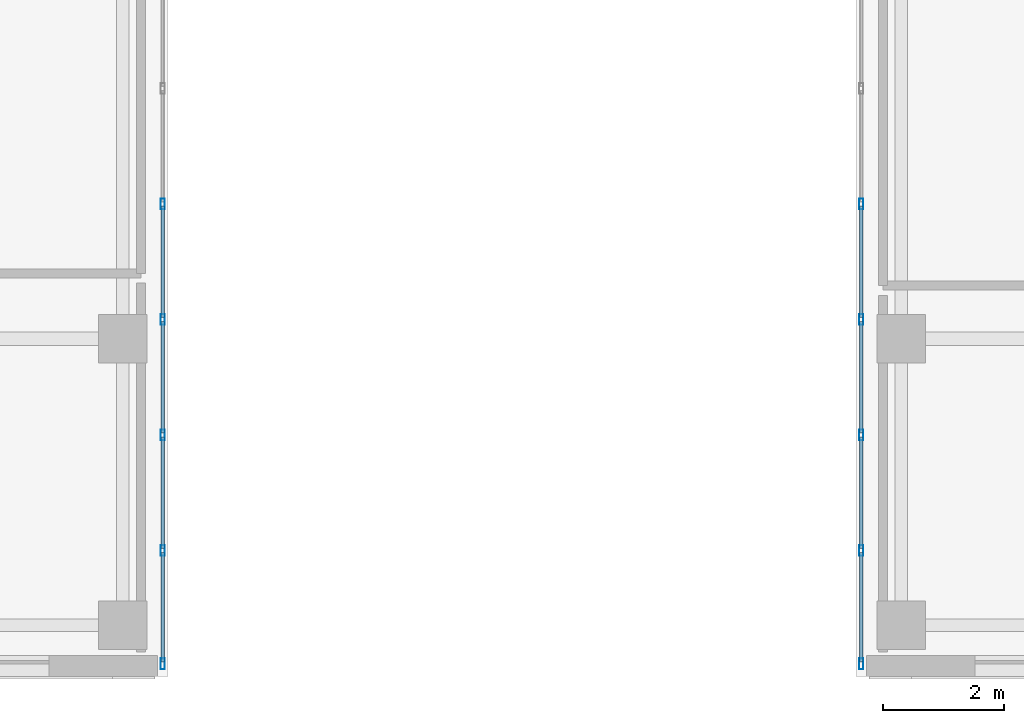
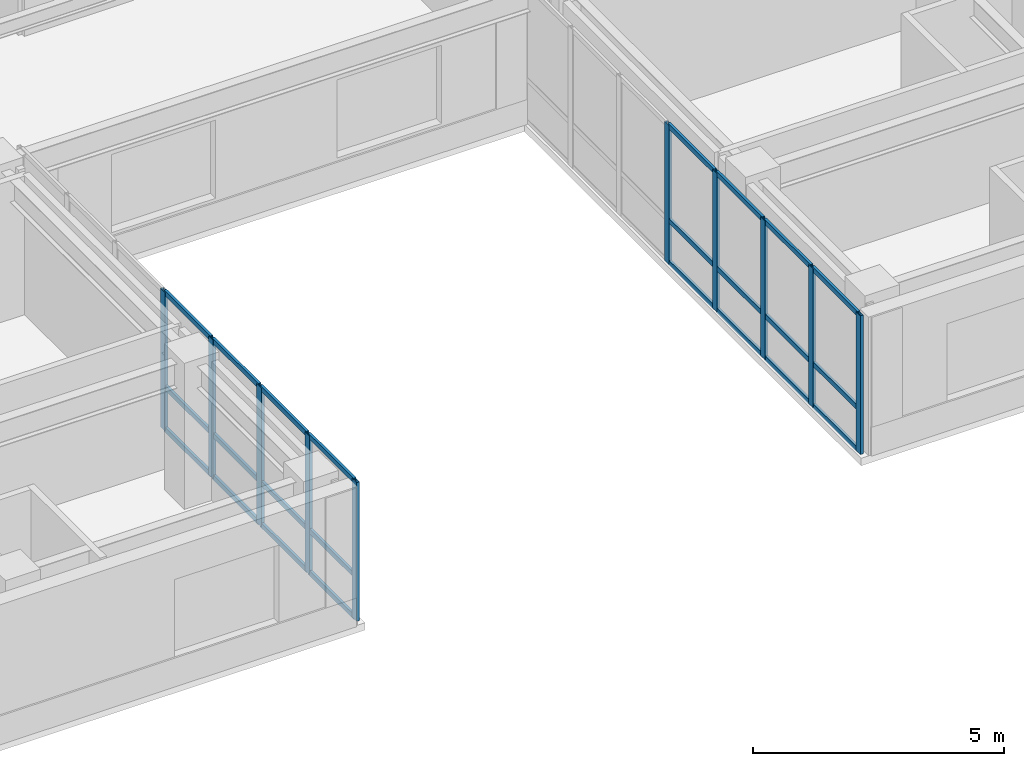
# One storey, part 7 of 28: 34 members, 2 elements without a shape of their own.
"""IFC4 building model written with IfcOpenShell, lengths in metres."""

import ifcopenshell
import ifcopenshell.guid

model = None  # the IFC model being written
_history = None  # IfcOwnerHistory: only IFC2X3 demands one
_inside = {}  # id of a spatial element -> (the spatial element, [elements in it])
_under = {}  # id of a project, library or spatial element -> (it, [spatial elements below it])
_declared = {}  # id of a project -> (the project, [libraries it declares])
_typed = {}  # id of a type object -> (the type object, [elements of that type])
_made_of = {}  # id of a material, layer set ... -> (it, [elements and type objects made of it])


def new_model(schema):
    """Start an empty IFC model of exactly this schema.

    Asked for "IFC4X3", IfcOpenShell would pick the latest addendum, in which some entities
    have other attributes; the version numbers below select the first issue.
    IFC2X3 requires an IfcOwnerHistory on every rooted entity: one is made here for all.
    """
    global model, _history
    if schema == "IFC4X3":
        model = ifcopenshell.file(schema_version=(4, 3, 0, 0))
    else:
        model = ifcopenshell.file(schema=schema)
    _inside.clear()
    _under.clear()
    _declared.clear()
    _typed.clear()
    _made_of.clear()
    _history = None
    if model.schema == "IFC2X3":
        org = make("IfcOrganization", Name="unknown")
        user = make(
            "IfcPersonAndOrganization",
            ThePerson=make("IfcPerson", FamilyName="unknown"),
            TheOrganization=org,
        )
        app = make(
            "IfcApplication",
            ApplicationDeveloper=org,
            Version="unknown",
            ApplicationFullName="unknown",
            ApplicationIdentifier="unknown",
        )
        _history = make(
            "IfcOwnerHistory",
            OwningUser=user,
            OwningApplication=app,
            ChangeAction="ADDED",
            CreationDate=0,
        )
    return model


def make(cls, **values):
    """One entity of the class cls with the attributes given. An attribute that is None is left unset."""
    return model.create_entity(
        cls, **{name: value for name, value in values.items() if value is not None}
    )


def rooted(cls, **values):
    """An entity with a GlobalId (a new one), such as an element, a storey or a relation."""
    return make(cls, GlobalId=ifcopenshell.guid.new(), OwnerHistory=_history, **values)


def si_unit(unit_type, name, prefix=None):
    """IfcSIUnit, for example si_unit("LENGTHUNIT", "METRE", prefix="MILLI")."""
    return make("IfcSIUnit", UnitType=unit_type, Prefix=prefix, Name=name)


def assignment(units):
    """IfcUnitAssignment: the units of a project."""
    return None if units is None else make("IfcUnitAssignment", Units=units)


def point(xyz):
    """IfcCartesianPoint."""
    return None if xyz is None else make("IfcCartesianPoint", Coordinates=xyz)


def direction(xyz):
    """IfcDirection."""
    return None if xyz is None else make("IfcDirection", DirectionRatios=xyz)


def frame(location, z_axis=None, x_axis=None):
    """IfcAxis2Placement3D, a coordinate frame: its origin and axes. An axis left out is left unset."""
    return make(
        "IfcAxis2Placement3D",
        Location=point(location),
        Axis=direction(z_axis),
        RefDirection=direction(x_axis),
    )


def frame_2d(location, x_axis=None):
    """IfcAxis2Placement2D, a coordinate frame in the plane: its origin and x axis."""
    return make(
        "IfcAxis2Placement2D", Location=point(location), RefDirection=direction(x_axis)
    )


def origin():
    """The frame at (0, 0, 0) with its axes left unset."""
    return frame((0.0, 0.0, 0.0))


def origin_2d():
    """The frame at (0, 0) in the plane with its x axis left unset."""
    return frame_2d((0.0, 0.0))


def place(relative_to, where):
    """IfcLocalPlacement: puts the frame where relative to a parent placement (None: the world)."""
    return make(
        "IfcLocalPlacement", PlacementRelTo=relative_to, RelativePlacement=where
    )


def context(
    kind, dimensions, precision=None, world=None, true_north=None, identifier=None
):
    """IfcGeometricRepresentationContext, for example the 3D "Model" context."""
    return make(
        "IfcGeometricRepresentationContext",
        ContextIdentifier=identifier,
        ContextType=kind,
        CoordinateSpaceDimension=dimensions,
        Precision=precision,
        WorldCoordinateSystem=world,
        TrueNorth=true_north,
    )


def subcontext(parent, identifier, kind, view, scale=None):
    """IfcGeometricRepresentationSubContext, for example "Body" below "Model"."""
    return make(
        "IfcGeometricRepresentationSubContext",
        ContextIdentifier=identifier,
        ContextType=kind,
        ParentContext=parent,
        TargetScale=scale,
        TargetView=view,
    )


def project(units=None, contexts=None):
    """IfcProject with its units and contexts."""
    return rooted(
        "IfcProject",
        Name="project",
        RepresentationContexts=contexts,
        UnitsInContext=assignment(units),
    )


def spatial(cls, under=None, at=None, **own):
    """A site, building, storey or space (cls), placed at a placement, below another one or the project."""
    s = rooted(cls, ObjectPlacement=at, **own)
    if under is not None:
        _under.setdefault(under.id(), (under, []))[1].append(s)
    return s


def profile(cls, at=None, kind="AREA", **sizes):
    """A parametric profile (cls). Its sizes go by their IFC names, for example OverallWidth=200.0."""
    return make(cls, ProfileType=kind, Position=at, **sizes)


def hollow_rectangle(**sizes):
    """IfcRectangleHollowProfileDef."""
    return profile("IfcRectangleHollowProfileDef", **sizes)


def extrude(swept, where, along, depth):
    """IfcExtrudedAreaSolid: the profile swept, set in the frame where, extruded along a direction by depth."""
    return make(
        "IfcExtrudedAreaSolid",
        SweptArea=swept,
        Position=where,
        ExtrudedDirection=direction(along),
        Depth=depth,
    )


def shape(context_of_items, identifier, shape_type, items):
    """IfcShapeRepresentation: the items that make up one representation, for example the "Body"."""
    return make(
        "IfcShapeRepresentation",
        ContextOfItems=context_of_items,
        RepresentationIdentifier=identifier,
        RepresentationType=shape_type,
        Items=items,
    )


def source(mapping_origin, context_of_items, identifier, shape_type, items):
    """IfcRepresentationMap: a shape defined once, which mapped items show again and again."""
    return make(
        "IfcRepresentationMap",
        MappingOrigin=mapping_origin,
        MappedRepresentation=shape(context_of_items, identifier, shape_type, items),
    )


def transform(
    local_origin,
    x_axis=None,
    y_axis=None,
    z_axis=None,
    scale=None,
    scale2=None,
    scale3=None,
    uniform=True,
):
    """IfcCartesianTransformationOperator3D, or its non-uniform kind. x_axis, y_axis, z_axis: its Axis1, 2, 3."""
    if uniform:
        return make(
            "IfcCartesianTransformationOperator3D",
            Axis1=direction(x_axis),
            Axis2=direction(y_axis),
            LocalOrigin=point(local_origin),
            Scale=scale,
            Axis3=direction(z_axis),
        )
    return make(
        "IfcCartesianTransformationOperator3DnonUniform",
        Axis1=direction(x_axis),
        Axis2=direction(y_axis),
        LocalOrigin=point(local_origin),
        Scale=scale,
        Axis3=direction(z_axis),
        Scale2=scale2,
        Scale3=scale3,
    )


def mapped(mapping_source, mapping_target):
    """IfcMappedItem: shows the shape of a source again, moved by a transform."""
    return make(
        "IfcMappedItem", MappingSource=mapping_source, MappingTarget=mapping_target
    )


def material(Name=None, Category=None):
    """IfcMaterial."""
    return make("IfcMaterial", Name=Name, Category=Category)


def layer(
    of_material, thickness, ventilated=None, Name=None, Category=None, Priority=None
):
    """IfcMaterialLayer: one layer of a wall or slab, of a material (None: an air gap)."""
    return make(
        "IfcMaterialLayer",
        Material=of_material,
        LayerThickness=thickness,
        IsVentilated=ventilated,
        Name=Name,
        Category=Category,
        Priority=Priority,
    )


def layer_set(layers, Name=None):
    """IfcMaterialLayerSet."""
    return make("IfcMaterialLayerSet", MaterialLayers=layers, LayerSetName=Name)


def material_profile(
    of_material, cross_section, Name=None, Category=None, Priority=None
):
    """IfcMaterialProfile: a cross section and its material."""
    return make(
        "IfcMaterialProfile",
        Name=Name,
        Material=of_material,
        Profile=cross_section,
        Priority=Priority,
        Category=Category,
    )


def profile_set(profiles, Name=None, composite=None):
    """IfcMaterialProfileSet."""
    return make(
        "IfcMaterialProfileSet",
        Name=Name,
        MaterialProfiles=profiles,
        CompositeProfile=composite,
    )


def made_of(thing, what):
    """Note that an element or type object is made of a material, layer set ...; save() writes the relation."""
    if what is not None:
        _made_of.setdefault(what.id(), (what, []))[1].append(thing)
    return thing


def type_object(cls, material=None, **own):
    """A type object (cls), such as IfcWallType, which elements share."""
    return made_of(rooted(cls, **own), material)


def type_shapes(of_type, sources):
    """Give a type object the sources (RepresentationMaps) that its elements show as mapped items."""
    of_type.RepresentationMaps = sources


def element(
    cls,
    number,
    at=None,
    inside=None,
    cuts=None,
    type_object=None,
    material=None,
    context=None,
    identifier="Body",
    shape_type=None,
    held_by="IfcProductDefinitionShape",
    body=None,
    shapes=None,
    **own,
):
    """One element of the class cls, such as IfcWall. Its Tag is "e" and its number.

    at: its placement. inside: the storey or other place that contains it. cuts: it is an
    opening in that element (IfcRelVoidsElement). A single representation is given by context,
    identifier, shape_type and body (its items); several are given by shapes. held_by: the class
    of the entity that holds the representations. save() writes the other relations.
    """
    e = rooted(cls, Tag="e%d" % number, ObjectPlacement=at, **own)
    if body is not None:
        shapes = [shape(context, identifier, shape_type, body)]
    if shapes is not None:
        e.Representation = make(held_by, Representations=shapes)
    if inside is not None:
        _inside.setdefault(inside.id(), (inside, []))[1].append(e)
    if cuts is not None:
        rooted(
            "IfcRelVoidsElement", RelatingBuildingElement=cuts, RelatedOpeningElement=e
        )
    if type_object is not None:
        _typed.setdefault(type_object.id(), (type_object, []))[1].append(e)
    return made_of(e, material)


def aggregate(whole, parts):
    """IfcRelAggregates: a whole, such as a stair, and the parts it consists of."""
    return rooted("IfcRelAggregates", RelatingObject=whole, RelatedObjects=parts)


def save(model, path):
    """Write the relations noted so far, then the file.

    IfcRelAggregates (storeys below a building ...), IfcRelContainedInSpatialStructure (elements
    in a storey), IfcRelDefinesByType, IfcRelAssociatesMaterial and IfcRelDeclares: one each for
    every whole, place, type object, material and project.
    """
    for whole, parts in _under.values():
        aggregate(whole, parts)
    for where, things in _inside.values():
        rooted(
            "IfcRelContainedInSpatialStructure",
            RelatedElements=things,
            RelatingStructure=where,
        )
    for kind, things in _typed.values():
        rooted("IfcRelDefinesByType", RelatedObjects=things, RelatingType=kind)
    for what, things in _made_of.values():
        rooted("IfcRelAssociatesMaterial", RelatedObjects=things, RelatingMaterial=what)
    for by, libraries in _declared.values():
        rooted("IfcRelDeclares", RelatingContext=by, RelatedDefinitions=libraries)
    model.write(path)


model = new_model("IFC4")

# Units and contexts
model_context = context("Model", 3, precision=1e-05, world=origin(), true_north=direction((0.0, 1.0)))
body_context = subcontext(model_context, "Body", "Model", "MODEL_VIEW")
ifc_project = project(units=[si_unit("LENGTHUNIT", "METRE"), si_unit("AREAUNIT", "SQUARE_METRE"), si_unit("VOLUMEUNIT", "CUBIC_METRE"), si_unit("PLANEANGLEUNIT", "RADIAN"), si_unit("MASSUNIT", "GRAM", prefix="KILO")], contexts=[model_context])

# Site, building, storey
site_placement = place(None, origin())
site = spatial("IfcSite", under=ifc_project, at=site_placement, CompositionType="ELEMENT")
building_placement = place(site_placement, origin())
building = spatial("IfcBuilding", under=site, at=building_placement, Name="Tolvann Quenvar Hotel", CompositionType="ELEMENT")
storey_placement = place(building_placement, frame((0.0, 0.0, 198.199951171875)))
storey = spatial("IfcBuildingStorey", under=building, at=storey_placement, Name="L52", CompositionType="ELEMENT", Elevation=198.199951171875)

# Curtain wall, members
ifc_material_1 = material(Name="Thermally broken anodised architectural aluminium 6063-T6 and laminated low-E glass", Category="aluminium")
ifc_layer = layer(ifc_material_1, 0.179931640625)
ifc_layer_set = layer_set([ifc_layer], Name="Thermally broken anodised architectural aluminium 6063-T6 and laminated low-E glass")
curtain_wall_type = type_object("IfcCurtainWallType", Name="CW_SYS_SLOT_03", PredefinedType="USERDEFINED", material=ifc_layer_set)
curtain_wall_1_placement = place(storey_placement, origin())
curtain_wall_1 = element("IfcCurtainWall", 1, at=curtain_wall_1_placement, inside=storey, type_object=curtain_wall_type, Name="Curtain Wall CW-SLOT-03 (CWR-L52-E05)", ObjectType="UNITISED CURTAIN WALL", PredefinedType="USERDEFINED")
ifc_material_2 = material(Name="Anodised architectural aluminium 6063-T6 framing", Category="aluminium")
ifc_material_profile_1 = material_profile(ifc_material_2, hollow_rectangle(XDim=0.070068359375, YDim=0.179931640625, WallThickness=0.00390625, at=origin_2d()), Name="180x70x4RHS")
ifc_profile_set_1 = profile_set([ifc_material_profile_1], Name="Anodised architectural aluminium 6063-T6 framing")
member_type_1 = type_object("IfcMemberType", Name="CW_MULL_180x70", PredefinedType="MULLION", material=ifc_profile_set_1)
shared_shape_1 = source(origin(), body_context, "Body", "SweptSolid", [
    extrude(hollow_rectangle(XDim=0.070068359375, YDim=0.179931640625, WallThickness=0.00390625, at=origin_2d()), origin(), (0.0, 0.0, 1.0), 3.3701171875),
])
type_shapes(member_type_1, [shared_shape_1])
member_1_placement = place(storey_placement, frame((22.7099609375, 2.81005859375, 0.0), z_axis=(0.0, 0.0, 1.0), x_axis=(-1.0, 0.0, 0.0)))
member_1 = element("IfcMember", 2, at=member_1_placement, type_object=member_type_1, Name="CW-SLOT-03 mullion 1", PredefinedType="MULLION", context=body_context, shape_type="MappedRepresentation", body=[
    mapped(shared_shape_1, transform((0.0, 0.0, 0.0), x_axis=(1.0, 0.0, 0.0), y_axis=(0.0, 1.0, 0.0), z_axis=(0.0, 0.0, 1.0), scale=1.0)),
])
member_2_placement = place(storey_placement, frame((22.7099609375, 4.689208984375, 0.0), z_axis=(0.0, 0.0, 1.0), x_axis=(-1.0, 0.0, 0.0)))
member_2 = element("IfcMember", 3, at=member_2_placement, type_object=member_type_1, Name="CW-SLOT-03 mullion 2", PredefinedType="MULLION", context=body_context, shape_type="MappedRepresentation", body=[
    mapped(shared_shape_1, transform((0.0, 0.0, 0.0), x_axis=(1.0, 0.0, 0.0), y_axis=(0.0, 1.0, 0.0), z_axis=(0.0, 0.0, 1.0), scale=1.0)),
])
member_3_placement = place(storey_placement, frame((22.7099609375, 6.603515625, 0.0), z_axis=(0.0, 0.0, 1.0), x_axis=(-1.0, 0.0, 0.0)))
member_3 = element("IfcMember", 4, at=member_3_placement, type_object=member_type_1, Name="CW-SLOT-03 mullion 3", PredefinedType="MULLION", context=body_context, shape_type="MappedRepresentation", body=[
    mapped(shared_shape_1, transform((0.0, 0.0, 0.0), x_axis=(1.0, 0.0, 0.0), y_axis=(0.0, 1.0, 0.0), z_axis=(0.0, 0.0, 1.0), scale=1.0)),
])
member_4_placement = place(storey_placement, frame((22.7099609375, 8.517822265625, 0.0), z_axis=(0.0, 0.0, 1.0), x_axis=(-1.0, 0.0, 0.0)))
member_4 = element("IfcMember", 5, at=member_4_placement, type_object=member_type_1, Name="CW-SLOT-03 mullion 4", PredefinedType="MULLION", context=body_context, shape_type="MappedRepresentation", body=[
    mapped(shared_shape_1, transform((0.0, 0.0, 0.0), x_axis=(1.0, 0.0, 0.0), y_axis=(0.0, 1.0, 0.0), z_axis=(0.0, 0.0, 1.0), scale=1.0)),
])
member_5_placement = place(storey_placement, frame((22.7099609375, 10.43212890625, 0.0), z_axis=(0.0, 0.0, 1.0), x_axis=(-1.0, 0.0, 0.0)))
member_5 = element("IfcMember", 6, at=member_5_placement, type_object=member_type_1, Name="CW-SLOT-03 mullion 5", PredefinedType="MULLION", context=body_context, shape_type="MappedRepresentation", body=[
    mapped(shared_shape_1, transform((0.0, 0.0, 0.0), x_axis=(1.0, 0.0, 0.0), y_axis=(0.0, 1.0, 0.0), z_axis=(0.0, 0.0, 1.0), scale=1.0)),
])

curtain_wall_2_placement = place(storey_placement, origin())
curtain_wall_2 = element("IfcCurtainWall", 7, at=curtain_wall_2_placement, inside=storey, type_object=curtain_wall_type, Name="Curtain Wall CW-SLOT-03 (CWR-L52-E07)", ObjectType="UNITISED CURTAIN WALL", PredefinedType="USERDEFINED")
member_6_placement = place(storey_placement, frame((34.2900390625, 10.43212890625, 0.0), z_axis=(0.0, 0.0, 1.0), x_axis=(1.0, 0.0, 0.0)))
member_6 = element("IfcMember", 8, at=member_6_placement, type_object=member_type_1, Name="CW-SLOT-03 mullion 4", PredefinedType="MULLION", context=body_context, shape_type="MappedRepresentation", body=[
    mapped(shared_shape_1, transform((0.0, 0.0, 0.0), x_axis=(1.0, 0.0, 0.0), y_axis=(0.0, 1.0, 0.0), z_axis=(0.0, 0.0, 1.0), scale=1.0)),
])
member_7_placement = place(storey_placement, frame((34.2900390625, 8.517822265625, 0.0), z_axis=(0.0, 0.0, 1.0), x_axis=(1.0, 0.0, 0.0)))
member_7 = element("IfcMember", 9, at=member_7_placement, type_object=member_type_1, Name="CW-SLOT-03 mullion 5", PredefinedType="MULLION", context=body_context, shape_type="MappedRepresentation", body=[
    mapped(shared_shape_1, transform((0.0, 0.0, 0.0), x_axis=(1.0, 0.0, 0.0), y_axis=(0.0, 1.0, 0.0), z_axis=(0.0, 0.0, 1.0), scale=1.0)),
])
member_8_placement = place(storey_placement, frame((34.2900390625, 6.603515625, 0.0), z_axis=(0.0, 0.0, 1.0), x_axis=(1.0, 0.0, 0.0)))
member_8 = element("IfcMember", 10, at=member_8_placement, type_object=member_type_1, Name="CW-SLOT-03 mullion 6", PredefinedType="MULLION", context=body_context, shape_type="MappedRepresentation", body=[
    mapped(shared_shape_1, transform((0.0, 0.0, 0.0), x_axis=(1.0, 0.0, 0.0), y_axis=(0.0, 1.0, 0.0), z_axis=(0.0, 0.0, 1.0), scale=1.0)),
])
member_9_placement = place(storey_placement, frame((34.2900390625, 4.689208984375, 0.0), z_axis=(0.0, 0.0, 1.0), x_axis=(1.0, 0.0, 0.0)))
member_9 = element("IfcMember", 11, at=member_9_placement, type_object=member_type_1, Name="CW-SLOT-03 mullion 7", PredefinedType="MULLION", context=body_context, shape_type="MappedRepresentation", body=[
    mapped(shared_shape_1, transform((0.0, 0.0, 0.0), x_axis=(1.0, 0.0, 0.0), y_axis=(0.0, 1.0, 0.0), z_axis=(0.0, 0.0, 1.0), scale=1.0)),
])
member_10_placement = place(storey_placement, frame((34.2900390625, 2.81005859375, 0.0), z_axis=(0.0, 0.0, 1.0), x_axis=(1.0, 0.0, 0.0)))
member_10 = element("IfcMember", 12, at=member_10_placement, type_object=member_type_1, Name="CW-SLOT-03 mullion 8", PredefinedType="MULLION", context=body_context, shape_type="MappedRepresentation", body=[
    mapped(shared_shape_1, transform((0.0, 0.0, 0.0), x_axis=(1.0, 0.0, 0.0), y_axis=(0.0, 1.0, 0.0), z_axis=(0.0, 0.0, 1.0), scale=1.0)),
])

# Member
ifc_material_profile_2 = material_profile(ifc_material_2, hollow_rectangle(XDim=0.06005859375, YDim=0.1201171875, WallThickness=0.00341796875, at=origin_2d()), Name="120x60x3.5RHS")
ifc_profile_set_2 = profile_set([ifc_material_profile_2], Name="Anodised architectural aluminium 6063-T6 framing")
member_type_2 = type_object("IfcMemberType", Name="CW_TRAN_120x60", PredefinedType="USERDEFINED", material=ifc_profile_set_2)
shared_shape_2 = source(origin(), body_context, "Body", "SweptSolid", [
    extrude(hollow_rectangle(XDim=0.06005859375, YDim=0.1201171875, WallThickness=0.00341796875, at=origin_2d()), origin(), (0.0, 0.0, 1.0), 1.809326171875),
])
member_11_placement = place(storey_placement, frame((22.7099609375, 2.844970703125, 0.030029296875), z_axis=(0.0, 1.0, 0.0), x_axis=(-1.0, 0.0, 0.0)))
member_11 = element("IfcMember", 13, at=member_11_placement, type_object=member_type_2, Name="CW-SLOT-03 transom 1.1", ObjectType="TRANSOM", PredefinedType="USERDEFINED", context=body_context, shape_type="MappedRepresentation", body=[
    mapped(shared_shape_2, transform((0.0, 0.0, 0.0), x_axis=(1.0, 0.0, 0.0), y_axis=(0.0, 1.0, 0.0), z_axis=(0.0, 0.0, 1.0), scale=1.0)),
])

member_12_placement = place(storey_placement, frame((22.7099609375, 2.844970703125, 1.050048828125), z_axis=(0.0, 1.0, 0.0), x_axis=(-1.0, 0.0, 0.0)))
member_12 = element("IfcMember", 14, at=member_12_placement, type_object=member_type_2, Name="CW-SLOT-03 transom 1.2", ObjectType="TRANSOM", PredefinedType="USERDEFINED", context=body_context, shape_type="MappedRepresentation", body=[
    mapped(shared_shape_2, transform((0.0, 0.0, 0.0), x_axis=(1.0, 0.0, 0.0), y_axis=(0.0, 1.0, 0.0), z_axis=(0.0, 0.0, 1.0), scale=1.0)),
])

member_13_placement = place(storey_placement, frame((22.7099609375, 2.844970703125, 3.340087890625), z_axis=(0.0, 1.0, 0.0), x_axis=(-1.0, 0.0, 0.0)))
member_13 = element("IfcMember", 15, at=member_13_placement, type_object=member_type_2, Name="CW-SLOT-03 transom 1.3", ObjectType="TRANSOM", PredefinedType="USERDEFINED", context=body_context, shape_type="MappedRepresentation", body=[
    mapped(shared_shape_2, transform((0.0, 0.0, 0.0), x_axis=(1.0, 0.0, 0.0), y_axis=(0.0, 1.0, 0.0), z_axis=(0.0, 0.0, 1.0), scale=1.0)),
])

member_14_placement = place(storey_placement, frame((34.2900390625, 4.654296875, 0.030029296875), z_axis=(0.0, -1.0, 0.0), x_axis=(1.0, 0.0, 0.0)))
member_14 = element("IfcMember", 16, at=member_14_placement, type_object=member_type_2, Name="CW-SLOT-03 transom 7.1", ObjectType="TRANSOM", PredefinedType="USERDEFINED", context=body_context, shape_type="MappedRepresentation", body=[
    mapped(shared_shape_2, transform((0.0, 0.0, 0.0), x_axis=(1.0, 0.0, 0.0), y_axis=(0.0, 1.0, 0.0), z_axis=(0.0, 0.0, 1.0), scale=1.0)),
])

member_15_placement = place(storey_placement, frame((34.2900390625, 4.654296875, 1.050048828125), z_axis=(0.0, -1.0, 0.0), x_axis=(1.0, 0.0, 0.0)))
member_15 = element("IfcMember", 17, at=member_15_placement, type_object=member_type_2, Name="CW-SLOT-03 transom 7.2", ObjectType="TRANSOM", PredefinedType="USERDEFINED", context=body_context, shape_type="MappedRepresentation", body=[
    mapped(shared_shape_2, transform((0.0, 0.0, 0.0), x_axis=(1.0, 0.0, 0.0), y_axis=(0.0, 1.0, 0.0), z_axis=(0.0, 0.0, 1.0), scale=1.0)),
])

member_16_placement = place(storey_placement, frame((34.2900390625, 4.654296875, 3.340087890625), z_axis=(0.0, -1.0, 0.0), x_axis=(1.0, 0.0, 0.0)))
member_16 = element("IfcMember", 18, at=member_16_placement, type_object=member_type_2, Name="CW-SLOT-03 transom 7.3", ObjectType="TRANSOM", PredefinedType="USERDEFINED", context=body_context, shape_type="MappedRepresentation", body=[
    mapped(shared_shape_2, transform((0.0, 0.0, 0.0), x_axis=(1.0, 0.0, 0.0), y_axis=(0.0, 1.0, 0.0), z_axis=(0.0, 0.0, 1.0), scale=1.0)),
])

shared_shape_3 = source(origin(), body_context, "Body", "SweptSolid", [
    extrude(hollow_rectangle(XDim=0.06005859375, YDim=0.1201171875, WallThickness=0.00341796875, at=origin_2d()), origin(), (0.0, 0.0, 1.0), 1.84423828125),
])
type_shapes(member_type_2, [shared_shape_2, shared_shape_3])
member_17_placement = place(storey_placement, frame((22.7099609375, 4.724365234375, 0.030029296875), z_axis=(0.0, 1.0, 0.0), x_axis=(-1.0, 0.0, 0.0)))
member_17 = element("IfcMember", 19, at=member_17_placement, type_object=member_type_2, Name="CW-SLOT-03 transom 2.1", ObjectType="TRANSOM", PredefinedType="USERDEFINED", context=body_context, shape_type="MappedRepresentation", body=[
    mapped(shared_shape_3, transform((0.0, 0.0, 0.0), x_axis=(1.0, 0.0, 0.0), y_axis=(0.0, 1.0, 0.0), z_axis=(0.0, 0.0, 1.0), scale=1.0)),
])

member_18_placement = place(storey_placement, frame((22.7099609375, 4.724365234375, 1.050048828125), z_axis=(0.0, 1.0, 0.0), x_axis=(-1.0, 0.0, 0.0)))
member_18 = element("IfcMember", 20, at=member_18_placement, type_object=member_type_2, Name="CW-SLOT-03 transom 2.2", ObjectType="TRANSOM", PredefinedType="USERDEFINED", context=body_context, shape_type="MappedRepresentation", body=[
    mapped(shared_shape_3, transform((0.0, 0.0, 0.0), x_axis=(1.0, 0.0, 0.0), y_axis=(0.0, 1.0, 0.0), z_axis=(0.0, 0.0, 1.0), scale=1.0)),
])

member_19_placement = place(storey_placement, frame((22.7099609375, 4.724365234375, 3.340087890625), z_axis=(0.0, 1.0, 0.0), x_axis=(-1.0, 0.0, 0.0)))
member_19 = element("IfcMember", 21, at=member_19_placement, type_object=member_type_2, Name="CW-SLOT-03 transom 2.3", ObjectType="TRANSOM", PredefinedType="USERDEFINED", context=body_context, shape_type="MappedRepresentation", body=[
    mapped(shared_shape_3, transform((0.0, 0.0, 0.0), x_axis=(1.0, 0.0, 0.0), y_axis=(0.0, 1.0, 0.0), z_axis=(0.0, 0.0, 1.0), scale=1.0)),
])

member_20_placement = place(storey_placement, frame((22.7099609375, 6.638671875, 0.030029296875), z_axis=(0.0, 1.0, 0.0), x_axis=(-1.0, 0.0, 0.0)))
member_20 = element("IfcMember", 22, at=member_20_placement, type_object=member_type_2, Name="CW-SLOT-03 transom 3.1", ObjectType="TRANSOM", PredefinedType="USERDEFINED", context=body_context, shape_type="MappedRepresentation", body=[
    mapped(shared_shape_3, transform((0.0, 0.0, 0.0), x_axis=(1.0, 0.0, 0.0), y_axis=(0.0, 1.0, 0.0), z_axis=(0.0, 0.0, 1.0), scale=1.0)),
])

member_21_placement = place(storey_placement, frame((22.7099609375, 6.638671875, 1.050048828125), z_axis=(0.0, 1.0, 0.0), x_axis=(-1.0, 0.0, 0.0)))
member_21 = element("IfcMember", 23, at=member_21_placement, type_object=member_type_2, Name="CW-SLOT-03 transom 3.2", ObjectType="TRANSOM", PredefinedType="USERDEFINED", context=body_context, shape_type="MappedRepresentation", body=[
    mapped(shared_shape_3, transform((0.0, 0.0, 0.0), x_axis=(1.0, 0.0, 0.0), y_axis=(0.0, 1.0, 0.0), z_axis=(0.0, 0.0, 1.0), scale=1.0)),
])

member_22_placement = place(storey_placement, frame((22.7099609375, 6.638671875, 3.340087890625), z_axis=(0.0, 1.0, 0.0), x_axis=(-1.0, 0.0, 0.0)))
member_22 = element("IfcMember", 24, at=member_22_placement, type_object=member_type_2, Name="CW-SLOT-03 transom 3.3", ObjectType="TRANSOM", PredefinedType="USERDEFINED", context=body_context, shape_type="MappedRepresentation", body=[
    mapped(shared_shape_3, transform((0.0, 0.0, 0.0), x_axis=(1.0, 0.0, 0.0), y_axis=(0.0, 1.0, 0.0), z_axis=(0.0, 0.0, 1.0), scale=1.0)),
])

member_23_placement = place(storey_placement, frame((22.7099609375, 8.552978515625, 0.030029296875), z_axis=(0.0, 1.0, 0.0), x_axis=(-1.0, 0.0, 0.0)))
member_23 = element("IfcMember", 25, at=member_23_placement, type_object=member_type_2, Name="CW-SLOT-03 transom 4.1", ObjectType="TRANSOM", PredefinedType="USERDEFINED", context=body_context, shape_type="MappedRepresentation", body=[
    mapped(shared_shape_3, transform((0.0, 0.0, 0.0), x_axis=(1.0, 0.0, 0.0), y_axis=(0.0, 1.0, 0.0), z_axis=(0.0, 0.0, 1.0), scale=1.0)),
])

member_24_placement = place(storey_placement, frame((22.7099609375, 8.552978515625, 1.050048828125), z_axis=(0.0, 1.0, 0.0), x_axis=(-1.0, 0.0, 0.0)))
member_24 = element("IfcMember", 26, at=member_24_placement, type_object=member_type_2, Name="CW-SLOT-03 transom 4.2", ObjectType="TRANSOM", PredefinedType="USERDEFINED", context=body_context, shape_type="MappedRepresentation", body=[
    mapped(shared_shape_3, transform((0.0, 0.0, 0.0), x_axis=(1.0, 0.0, 0.0), y_axis=(0.0, 1.0, 0.0), z_axis=(0.0, 0.0, 1.0), scale=1.0)),
])

member_25_placement = place(storey_placement, frame((22.7099609375, 8.552978515625, 3.340087890625), z_axis=(0.0, 1.0, 0.0), x_axis=(-1.0, 0.0, 0.0)))
member_25 = element("IfcMember", 27, at=member_25_placement, type_object=member_type_2, Name="CW-SLOT-03 transom 4.3", ObjectType="TRANSOM", PredefinedType="USERDEFINED", context=body_context, shape_type="MappedRepresentation", body=[
    mapped(shared_shape_3, transform((0.0, 0.0, 0.0), x_axis=(1.0, 0.0, 0.0), y_axis=(0.0, 1.0, 0.0), z_axis=(0.0, 0.0, 1.0), scale=1.0)),
])

aggregate(curtain_wall_1, [member_1, member_2, member_3, member_4, member_5, member_11, member_12, member_13, member_17, member_18, member_19, member_20, member_21, member_22, member_23, member_24, member_25])

member_26_placement = place(storey_placement, frame((34.2900390625, 10.397216796875, 0.030029296875), z_axis=(0.0, -1.0, 0.0), x_axis=(1.0, 0.0, 0.0)))
member_26 = element("IfcMember", 28, at=member_26_placement, type_object=member_type_2, Name="CW-SLOT-03 transom 4.1", ObjectType="TRANSOM", PredefinedType="USERDEFINED", context=body_context, shape_type="MappedRepresentation", body=[
    mapped(shared_shape_3, transform((0.0, 0.0, 0.0), x_axis=(1.0, 0.0, 0.0), y_axis=(0.0, 1.0, 0.0), z_axis=(0.0, 0.0, 1.0), scale=1.0)),
])

member_27_placement = place(storey_placement, frame((34.2900390625, 10.397216796875, 1.050048828125), z_axis=(0.0, -1.0, 0.0), x_axis=(1.0, 0.0, 0.0)))
member_27 = element("IfcMember", 29, at=member_27_placement, type_object=member_type_2, Name="CW-SLOT-03 transom 4.2", ObjectType="TRANSOM", PredefinedType="USERDEFINED", context=body_context, shape_type="MappedRepresentation", body=[
    mapped(shared_shape_3, transform((0.0, 0.0, 0.0), x_axis=(1.0, 0.0, 0.0), y_axis=(0.0, 1.0, 0.0), z_axis=(0.0, 0.0, 1.0), scale=1.0)),
])

member_28_placement = place(storey_placement, frame((34.2900390625, 10.397216796875, 3.340087890625), z_axis=(0.0, -1.0, 0.0), x_axis=(1.0, 0.0, 0.0)))
member_28 = element("IfcMember", 30, at=member_28_placement, type_object=member_type_2, Name="CW-SLOT-03 transom 4.3", ObjectType="TRANSOM", PredefinedType="USERDEFINED", context=body_context, shape_type="MappedRepresentation", body=[
    mapped(shared_shape_3, transform((0.0, 0.0, 0.0), x_axis=(1.0, 0.0, 0.0), y_axis=(0.0, 1.0, 0.0), z_axis=(0.0, 0.0, 1.0), scale=1.0)),
])

member_29_placement = place(storey_placement, frame((34.2900390625, 8.48291015625, 0.030029296875), z_axis=(0.0, -1.0, 0.0), x_axis=(1.0, 0.0, 0.0)))
member_29 = element("IfcMember", 31, at=member_29_placement, type_object=member_type_2, Name="CW-SLOT-03 transom 5.1", ObjectType="TRANSOM", PredefinedType="USERDEFINED", context=body_context, shape_type="MappedRepresentation", body=[
    mapped(shared_shape_3, transform((0.0, 0.0, 0.0), x_axis=(1.0, 0.0, 0.0), y_axis=(0.0, 1.0, 0.0), z_axis=(0.0, 0.0, 1.0), scale=1.0)),
])

member_30_placement = place(storey_placement, frame((34.2900390625, 8.48291015625, 1.050048828125), z_axis=(0.0, -1.0, 0.0), x_axis=(1.0, 0.0, 0.0)))
member_30 = element("IfcMember", 32, at=member_30_placement, type_object=member_type_2, Name="CW-SLOT-03 transom 5.2", ObjectType="TRANSOM", PredefinedType="USERDEFINED", context=body_context, shape_type="MappedRepresentation", body=[
    mapped(shared_shape_3, transform((0.0, 0.0, 0.0), x_axis=(1.0, 0.0, 0.0), y_axis=(0.0, 1.0, 0.0), z_axis=(0.0, 0.0, 1.0), scale=1.0)),
])

member_31_placement = place(storey_placement, frame((34.2900390625, 8.48291015625, 3.340087890625), z_axis=(0.0, -1.0, 0.0), x_axis=(1.0, 0.0, 0.0)))
member_31 = element("IfcMember", 33, at=member_31_placement, type_object=member_type_2, Name="CW-SLOT-03 transom 5.3", ObjectType="TRANSOM", PredefinedType="USERDEFINED", context=body_context, shape_type="MappedRepresentation", body=[
    mapped(shared_shape_3, transform((0.0, 0.0, 0.0), x_axis=(1.0, 0.0, 0.0), y_axis=(0.0, 1.0, 0.0), z_axis=(0.0, 0.0, 1.0), scale=1.0)),
])

member_32_placement = place(storey_placement, frame((34.2900390625, 6.568603515625, 0.030029296875), z_axis=(0.0, -1.0, 0.0), x_axis=(1.0, 0.0, 0.0)))
member_32 = element("IfcMember", 34, at=member_32_placement, type_object=member_type_2, Name="CW-SLOT-03 transom 6.1", ObjectType="TRANSOM", PredefinedType="USERDEFINED", context=body_context, shape_type="MappedRepresentation", body=[
    mapped(shared_shape_3, transform((0.0, 0.0, 0.0), x_axis=(1.0, 0.0, 0.0), y_axis=(0.0, 1.0, 0.0), z_axis=(0.0, 0.0, 1.0), scale=1.0)),
])

member_33_placement = place(storey_placement, frame((34.2900390625, 6.568603515625, 1.050048828125), z_axis=(0.0, -1.0, 0.0), x_axis=(1.0, 0.0, 0.0)))
member_33 = element("IfcMember", 35, at=member_33_placement, type_object=member_type_2, Name="CW-SLOT-03 transom 6.2", ObjectType="TRANSOM", PredefinedType="USERDEFINED", context=body_context, shape_type="MappedRepresentation", body=[
    mapped(shared_shape_3, transform((0.0, 0.0, 0.0), x_axis=(1.0, 0.0, 0.0), y_axis=(0.0, 1.0, 0.0), z_axis=(0.0, 0.0, 1.0), scale=1.0)),
])

member_34_placement = place(storey_placement, frame((34.2900390625, 6.568603515625, 3.340087890625), z_axis=(0.0, -1.0, 0.0), x_axis=(1.0, 0.0, 0.0)))
member_34 = element("IfcMember", 36, at=member_34_placement, type_object=member_type_2, Name="CW-SLOT-03 transom 6.3", ObjectType="TRANSOM", PredefinedType="USERDEFINED", context=body_context, shape_type="MappedRepresentation", body=[
    mapped(shared_shape_3, transform((0.0, 0.0, 0.0), x_axis=(1.0, 0.0, 0.0), y_axis=(0.0, 1.0, 0.0), z_axis=(0.0, 0.0, 1.0), scale=1.0)),
])

aggregate(curtain_wall_2, [member_6, member_7, member_8, member_9, member_10, member_26, member_27, member_28, member_29, member_30, member_31, member_32, member_33, member_34, member_14, member_15, member_16])

save(model, "model.ifc")
